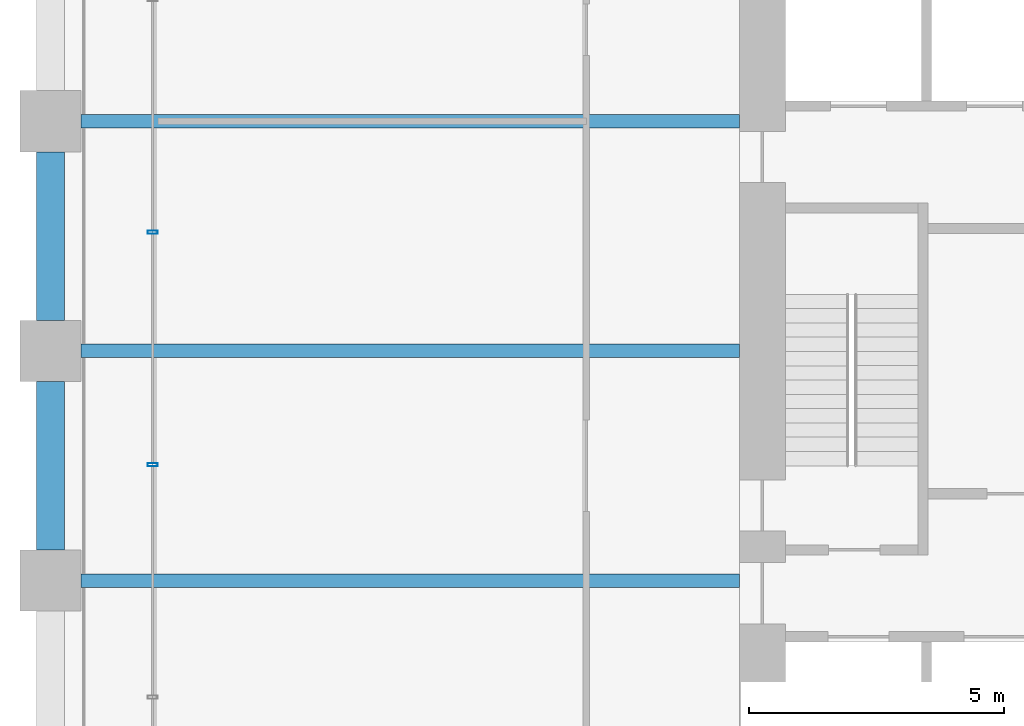
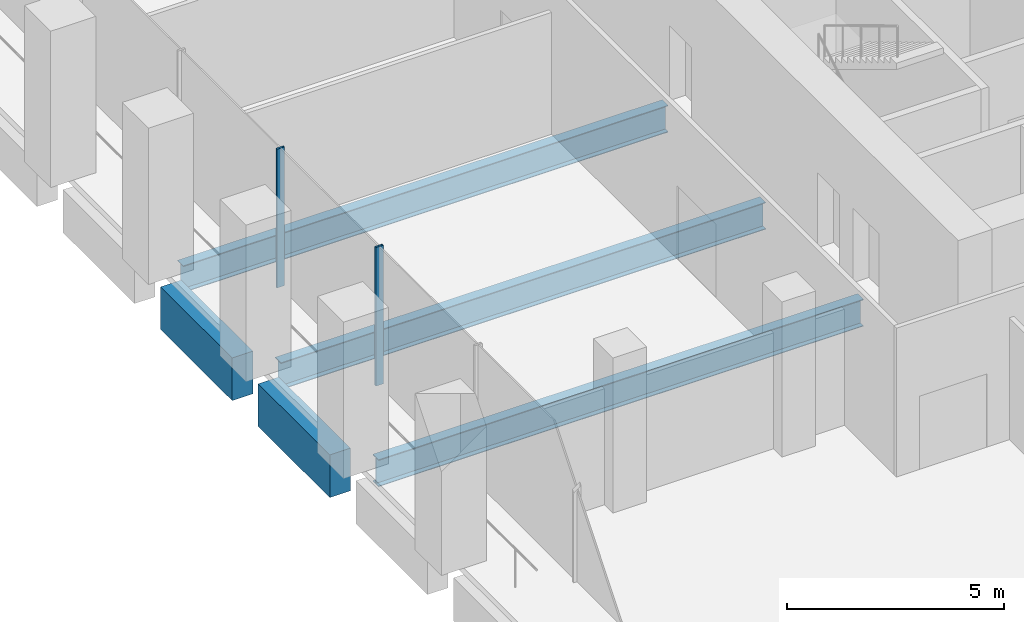
# One storey, part 7 of 36: 5 beams, 2 members, 1 element without a shape of its own.
"""IFC4 building model written with IfcOpenShell, lengths in metres."""

from ifc_helpers import new_model, si_unit, direction, frame, origin, origin_2d, place, context, subcontext, project, spatial, rectangle, hollow_rectangle, i_section, extrude, material, material_profile, profile_set, type_object, element, aggregate, save


model = new_model("IFC4")

# Units and contexts
model_context = context("Model", 3, precision=1e-05, world=origin(), true_north=direction((0.0, 1.0)))
body_context = subcontext(model_context, "Body", "Model", "MODEL_VIEW")
ifc_project = project(units=[si_unit("LENGTHUNIT", "METRE"), si_unit("AREAUNIT", "SQUARE_METRE"), si_unit("VOLUMEUNIT", "CUBIC_METRE"), si_unit("PLANEANGLEUNIT", "RADIAN"), si_unit("MASSUNIT", "GRAM", prefix="KILO")], contexts=[model_context])

# Site, building, storey
site_placement = place(None, origin())
site = spatial("IfcSite", under=ifc_project, at=site_placement, CompositionType="ELEMENT")
building_placement = place(site_placement, origin())
building = spatial("IfcBuilding", under=site, at=building_placement, Name="Altepetl Exchange Towers", CompositionType="ELEMENT")
storey_placement = place(building_placement, frame((0.0, 0.0, 25.39990234375)))
storey = spatial("IfcBuildingStorey", under=building, at=storey_placement, Name="L05", CompositionType="ELEMENT", Elevation=25.39990234375)

# Beams
ifc_material_1 = material(Name="Steel S355", Category="steel")
ifc_material_profile_1 = material_profile(ifc_material_1, i_section(OverallWidth=0.26611328125, OverallDepth=0.758056640625, WebThickness=0.013916015625, FlangeThickness=0.019287109375, at=origin_2d()), Name="W30X108")
ifc_profile_set_1 = profile_set([ifc_material_profile_1], Name="Steel S355")
beam_type_1 = type_object("IfcBeamType", Name="Floor beam W30X108", PredefinedType="BEAM", material=ifc_profile_set_1)
for number, where, z_axis, x_axis, name in (
    (1, (27.60009765625, 45.0, -0.553955078125), (1.0, 0.0, 0.0), (0.0, 1.0, 0.0), "bm:A:L05:018"),
    (2, (27.60009765625, 49.5, -0.553955078125), (1.0, 0.0, 0.0), (0.0, 1.0, 0.0), "bm:A:L05:019"),
    (3, (27.60009765625, 54.0, -0.553955078125), (1.0, 0.0, 0.0), (0.0, 1.0, 0.0), "bm:A:L05:020"),
):
    element("IfcBeam", number, at=place(storey_placement, frame(where, z_axis=z_axis, x_axis=x_axis)), inside=storey, type_object=beam_type_1, Name=name, PredefinedType="BEAM", context=body_context, shape_type="SweptSolid", body=[
        extrude(i_section(OverallWidth=0.26611328125, OverallDepth=0.758056640625, WebThickness=0.013916015625, FlangeThickness=0.019287109375, at=origin_2d()), origin(), (0.0, 0.0, 1.0), 12.89990234375),
    ])

# Curtain wall, members
ifc_material_2 = material(Name="Aluminium 6063-T6 glazing", Category="aluminium")
curtain_wall_type = type_object("IfcCurtainWallType", Name="Trading floor glazing system", PredefinedType="NOTDEFINED", material=ifc_material_2)
curtain_wall_placement = place(storey_placement, origin())
curtain_wall = element("IfcCurtainWall", 4, at=curtain_wall_placement, inside=storey, type_object=curtain_wall_type, Name="CW2 run", PredefinedType="NOTDEFINED")
ifc_material_3 = material(Name="Aluminium 6063-T6", Category="aluminium")
ifc_material_profile_2 = material_profile(ifc_material_3, hollow_rectangle(XDim=0.06005859375, YDim=0.199951171875, WallThickness=0.0029296875, at=origin_2d()), Name="Mullion 60x200 aluminium")
ifc_profile_set_2 = profile_set([ifc_material_profile_2], Name="Aluminium 6063-T6")
member_type = type_object("IfcMemberType", Name="Mullion 60x200 aluminium", PredefinedType="MULLION", material=ifc_profile_set_2)
member_1_placement = place(storey_placement, frame((29.0, 51.82861328125, 0.0), z_axis=(0.0, 0.0, 1.0), x_axis=(0.0, -1.0, 0.0)))
member_1 = element("IfcMember", 5, at=member_1_placement, type_object=member_type, Name="MU2 mullion", PredefinedType="MULLION", context=body_context, shape_type="SweptSolid", body=[
    extrude(hollow_rectangle(XDim=0.06005859375, YDim=0.199951171875, WallThickness=0.0029296875, at=origin_2d()), origin(), (0.0, 0.0, 1.0), 3.900146484375),
])
member_2_placement = place(storey_placement, frame((29.0, 47.271484375, 0.0), z_axis=(0.0, 0.0, 1.0), x_axis=(0.0, -1.0, 0.0)))
member_2 = element("IfcMember", 6, at=member_2_placement, type_object=member_type, Name="MU2 mullion", PredefinedType="MULLION", context=body_context, shape_type="SweptSolid", body=[
    extrude(hollow_rectangle(XDim=0.06005859375, YDim=0.199951171875, WallThickness=0.0029296875, at=origin_2d()), origin(), (0.0, 0.0, 1.0), 3.900146484375),
])
aggregate(curtain_wall, [member_1, member_2])

# Beams
ifc_material_4 = material(Name="Concrete C50/60 precast with tezontle facing", Category="concrete")
ifc_material_profile_3 = material_profile(ifc_material_4, rectangle(XDim=0.550048828125, YDim=1.199951171875, at=origin_2d()), Name="550 x 1200")
ifc_profile_set_3 = profile_set([ifc_material_profile_3], Name="Concrete C50/60 precast with tezontle facing")
beam_type_2 = type_object("IfcBeamType", Name="Spandrel beam 550x1200 tezontle", PredefinedType="SPANDREL", material=ifc_profile_set_3)
for number, where, z_axis, x_axis, name in (
    (7, (27.0, 53.39990234375, -0.77490234375), (0.0, -1.0, 0.0), (1.0, 0.0, 0.0), "sp:A:L05:039"),
    (8, (27.0, 48.89990234375, -0.77490234375), (0.0, -1.0, 0.0), (1.0, 0.0, 0.0), "sp:A:L05:040"),
):
    element("IfcBeam", number, at=place(storey_placement, frame(where, z_axis=z_axis, x_axis=x_axis)), inside=storey, type_object=beam_type_2, Name=name, PredefinedType="SPANDREL", context=body_context, shape_type="SweptSolid", body=[
        extrude(rectangle(XDim=0.550048828125, YDim=1.199951171875, at=origin_2d()), origin(), (0.0, 0.0, 1.0), 3.2998046875),
    ])

save(model, "model.ifc")
